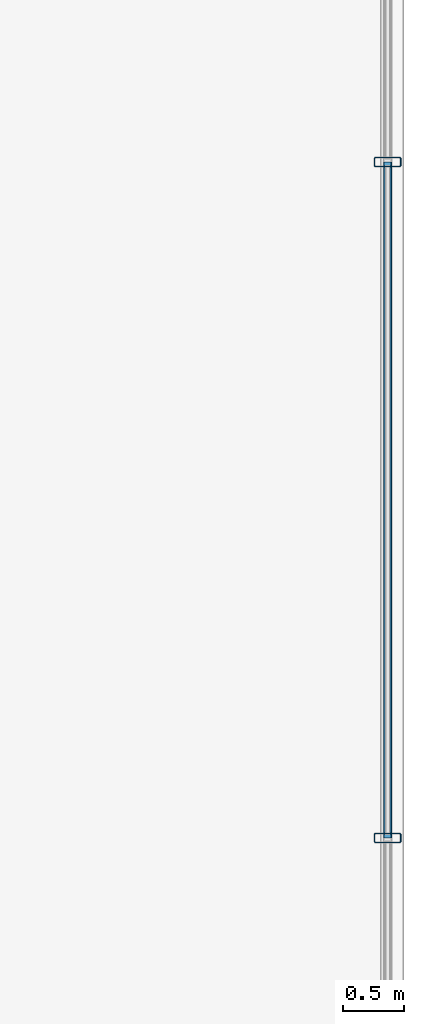
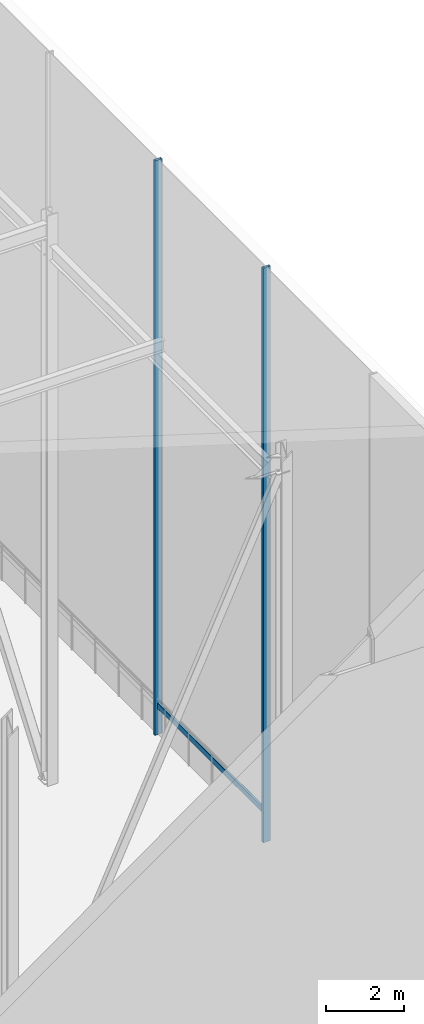
# One storey, part 28 of 39: 3 members, 1 element without a shape of its own.
"""IFC4 building model written with IfcOpenShell, lengths in metres."""

import ifcopenshell
import ifcopenshell.guid

model = None  # the IFC model being written
_history = None  # IfcOwnerHistory: only IFC2X3 demands one
_inside = {}  # id of a spatial element -> (the spatial element, [elements in it])
_under = {}  # id of a project, library or spatial element -> (it, [spatial elements below it])
_declared = {}  # id of a project -> (the project, [libraries it declares])
_typed = {}  # id of a type object -> (the type object, [elements of that type])
_made_of = {}  # id of a material, layer set ... -> (it, [elements and type objects made of it])


def new_model(schema):
    """Start an empty IFC model of exactly this schema.

    Asked for "IFC4X3", IfcOpenShell would pick the latest addendum, in which some entities
    have other attributes; the version numbers below select the first issue.
    IFC2X3 requires an IfcOwnerHistory on every rooted entity: one is made here for all.
    """
    global model, _history
    if schema == "IFC4X3":
        model = ifcopenshell.file(schema_version=(4, 3, 0, 0))
    else:
        model = ifcopenshell.file(schema=schema)
    _inside.clear()
    _under.clear()
    _declared.clear()
    _typed.clear()
    _made_of.clear()
    _history = None
    if model.schema == "IFC2X3":
        org = make("IfcOrganization", Name="unknown")
        user = make(
            "IfcPersonAndOrganization",
            ThePerson=make("IfcPerson", FamilyName="unknown"),
            TheOrganization=org,
        )
        app = make(
            "IfcApplication",
            ApplicationDeveloper=org,
            Version="unknown",
            ApplicationFullName="unknown",
            ApplicationIdentifier="unknown",
        )
        _history = make(
            "IfcOwnerHistory",
            OwningUser=user,
            OwningApplication=app,
            ChangeAction="ADDED",
            CreationDate=0,
        )
    return model


def make(cls, **values):
    """One entity of the class cls with the attributes given. An attribute that is None is left unset."""
    return model.create_entity(
        cls, **{name: value for name, value in values.items() if value is not None}
    )


def rooted(cls, **values):
    """An entity with a GlobalId (a new one), such as an element, a storey or a relation."""
    return make(cls, GlobalId=ifcopenshell.guid.new(), OwnerHistory=_history, **values)


def si_unit(unit_type, name, prefix=None):
    """IfcSIUnit, for example si_unit("LENGTHUNIT", "METRE", prefix="MILLI")."""
    return make("IfcSIUnit", UnitType=unit_type, Prefix=prefix, Name=name)


def assignment(units):
    """IfcUnitAssignment: the units of a project."""
    return None if units is None else make("IfcUnitAssignment", Units=units)


def point(xyz):
    """IfcCartesianPoint."""
    return None if xyz is None else make("IfcCartesianPoint", Coordinates=xyz)


def direction(xyz):
    """IfcDirection."""
    return None if xyz is None else make("IfcDirection", DirectionRatios=xyz)


def frame(location, z_axis=None, x_axis=None):
    """IfcAxis2Placement3D, a coordinate frame: its origin and axes. An axis left out is left unset."""
    return make(
        "IfcAxis2Placement3D",
        Location=point(location),
        Axis=direction(z_axis),
        RefDirection=direction(x_axis),
    )


def frame_2d(location, x_axis=None):
    """IfcAxis2Placement2D, a coordinate frame in the plane: its origin and x axis."""
    return make(
        "IfcAxis2Placement2D", Location=point(location), RefDirection=direction(x_axis)
    )


def origin():
    """The frame at (0, 0, 0) with its axes left unset."""
    return frame((0.0, 0.0, 0.0))


def origin_2d():
    """The frame at (0, 0) in the plane with its x axis left unset."""
    return frame_2d((0.0, 0.0))


def place(relative_to, where):
    """IfcLocalPlacement: puts the frame where relative to a parent placement (None: the world)."""
    return make(
        "IfcLocalPlacement", PlacementRelTo=relative_to, RelativePlacement=where
    )


def context(
    kind, dimensions, precision=None, world=None, true_north=None, identifier=None
):
    """IfcGeometricRepresentationContext, for example the 3D "Model" context."""
    return make(
        "IfcGeometricRepresentationContext",
        ContextIdentifier=identifier,
        ContextType=kind,
        CoordinateSpaceDimension=dimensions,
        Precision=precision,
        WorldCoordinateSystem=world,
        TrueNorth=true_north,
    )


def subcontext(parent, identifier, kind, view, scale=None):
    """IfcGeometricRepresentationSubContext, for example "Body" below "Model"."""
    return make(
        "IfcGeometricRepresentationSubContext",
        ContextIdentifier=identifier,
        ContextType=kind,
        ParentContext=parent,
        TargetScale=scale,
        TargetView=view,
    )


def project(units=None, contexts=None):
    """IfcProject with its units and contexts."""
    return rooted(
        "IfcProject",
        Name="project",
        RepresentationContexts=contexts,
        UnitsInContext=assignment(units),
    )


def spatial(cls, under=None, at=None, **own):
    """A site, building, storey or space (cls), placed at a placement, below another one or the project."""
    s = rooted(cls, ObjectPlacement=at, **own)
    if under is not None:
        _under.setdefault(under.id(), (under, []))[1].append(s)
    return s


def profile(cls, at=None, kind="AREA", **sizes):
    """A parametric profile (cls). Its sizes go by their IFC names, for example OverallWidth=200.0."""
    return make(cls, ProfileType=kind, Position=at, **sizes)


def hollow_rectangle(**sizes):
    """IfcRectangleHollowProfileDef."""
    return profile("IfcRectangleHollowProfileDef", **sizes)


def extrude(swept, where, along, depth):
    """IfcExtrudedAreaSolid: the profile swept, set in the frame where, extruded along a direction by depth."""
    return make(
        "IfcExtrudedAreaSolid",
        SweptArea=swept,
        Position=where,
        ExtrudedDirection=direction(along),
        Depth=depth,
    )


def shape(context_of_items, identifier, shape_type, items):
    """IfcShapeRepresentation: the items that make up one representation, for example the "Body"."""
    return make(
        "IfcShapeRepresentation",
        ContextOfItems=context_of_items,
        RepresentationIdentifier=identifier,
        RepresentationType=shape_type,
        Items=items,
    )


def material(Name=None, Category=None):
    """IfcMaterial."""
    return make("IfcMaterial", Name=Name, Category=Category)


def layer(
    of_material, thickness, ventilated=None, Name=None, Category=None, Priority=None
):
    """IfcMaterialLayer: one layer of a wall or slab, of a material (None: an air gap)."""
    return make(
        "IfcMaterialLayer",
        Material=of_material,
        LayerThickness=thickness,
        IsVentilated=ventilated,
        Name=Name,
        Category=Category,
        Priority=Priority,
    )


def layer_set(layers, Name=None):
    """IfcMaterialLayerSet."""
    return make("IfcMaterialLayerSet", MaterialLayers=layers, LayerSetName=Name)


def material_profile(
    of_material, cross_section, Name=None, Category=None, Priority=None
):
    """IfcMaterialProfile: a cross section and its material."""
    return make(
        "IfcMaterialProfile",
        Name=Name,
        Material=of_material,
        Profile=cross_section,
        Priority=Priority,
        Category=Category,
    )


def profile_set(profiles, Name=None, composite=None):
    """IfcMaterialProfileSet."""
    return make(
        "IfcMaterialProfileSet",
        Name=Name,
        MaterialProfiles=profiles,
        CompositeProfile=composite,
    )


def made_of(thing, what):
    """Note that an element or type object is made of a material, layer set ...; save() writes the relation."""
    if what is not None:
        _made_of.setdefault(what.id(), (what, []))[1].append(thing)
    return thing


def type_object(cls, material=None, **own):
    """A type object (cls), such as IfcWallType, which elements share."""
    return made_of(rooted(cls, **own), material)


def element(
    cls,
    number,
    at=None,
    inside=None,
    cuts=None,
    type_object=None,
    material=None,
    context=None,
    identifier="Body",
    shape_type=None,
    held_by="IfcProductDefinitionShape",
    body=None,
    shapes=None,
    **own,
):
    """One element of the class cls, such as IfcWall. Its Tag is "e" and its number.

    at: its placement. inside: the storey or other place that contains it. cuts: it is an
    opening in that element (IfcRelVoidsElement). A single representation is given by context,
    identifier, shape_type and body (its items); several are given by shapes. held_by: the class
    of the entity that holds the representations. save() writes the other relations.
    """
    e = rooted(cls, Tag="e%d" % number, ObjectPlacement=at, **own)
    if body is not None:
        shapes = [shape(context, identifier, shape_type, body)]
    if shapes is not None:
        e.Representation = make(held_by, Representations=shapes)
    if inside is not None:
        _inside.setdefault(inside.id(), (inside, []))[1].append(e)
    if cuts is not None:
        rooted(
            "IfcRelVoidsElement", RelatingBuildingElement=cuts, RelatedOpeningElement=e
        )
    if type_object is not None:
        _typed.setdefault(type_object.id(), (type_object, []))[1].append(e)
    return made_of(e, material)


def aggregate(whole, parts):
    """IfcRelAggregates: a whole, such as a stair, and the parts it consists of."""
    return rooted("IfcRelAggregates", RelatingObject=whole, RelatedObjects=parts)


def save(model, path):
    """Write the relations noted so far, then the file.

    IfcRelAggregates (storeys below a building ...), IfcRelContainedInSpatialStructure (elements
    in a storey), IfcRelDefinesByType, IfcRelAssociatesMaterial and IfcRelDeclares: one each for
    every whole, place, type object, material and project.
    """
    for whole, parts in _under.values():
        aggregate(whole, parts)
    for where, things in _inside.values():
        rooted(
            "IfcRelContainedInSpatialStructure",
            RelatedElements=things,
            RelatingStructure=where,
        )
    for kind, things in _typed.values():
        rooted("IfcRelDefinesByType", RelatedObjects=things, RelatingType=kind)
    for what, things in _made_of.values():
        rooted("IfcRelAssociatesMaterial", RelatedObjects=things, RelatingMaterial=what)
    for by, libraries in _declared.values():
        rooted("IfcRelDeclares", RelatingContext=by, RelatedDefinitions=libraries)
    model.write(path)


model = new_model("IFC4")

# Units and contexts
model_context = context("Model", 3, precision=1e-05, world=origin(), true_north=direction((0.0, 1.0)))
body_context = subcontext(model_context, "Body", "Model", "MODEL_VIEW")
ifc_project = project(units=[si_unit("LENGTHUNIT", "METRE"), si_unit("AREAUNIT", "SQUARE_METRE"), si_unit("VOLUMEUNIT", "CUBIC_METRE"), si_unit("PLANEANGLEUNIT", "RADIAN"), si_unit("MASSUNIT", "GRAM", prefix="KILO")], contexts=[model_context])

# Site, building, storey
site_placement = place(None, origin())
site = spatial("IfcSite", under=ifc_project, at=site_placement, CompositionType="ELEMENT")
building_placement = place(site_placement, origin())
building = spatial("IfcBuilding", under=site, at=building_placement, Name="Korimba Cascade Residences", CompositionType="ELEMENT")
storey_placement = place(building_placement, frame((0.0, 0.0, 264.199951171875)))
storey = spatial("IfcBuildingStorey", under=building, at=storey_placement, Name="RF", CompositionType="ELEMENT", Elevation=264.199951171875)

# Curtain wall, members
ifc_material_1 = material(Name="Anodised Aluminium Curtain Wall Framing", Category="aluminium")
ifc_layer = layer(ifc_material_1, 0.179931640625)
ifc_layer_set = layer_set([ifc_layer], Name="Anodised Aluminium Curtain Wall Framing")
curtain_wall_type = type_object("IfcCurtainWallType", Name="CW-CRNW-SYS5", PredefinedType="NOTDEFINED", material=ifc_layer_set)
curtain_wall_placement = place(storey_placement, origin())
curtain_wall = element("IfcCurtainWall", 1, at=curtain_wall_placement, inside=storey, type_object=curtain_wall_type, Name="RF Curtain Wall CW-RF-CRN-E-1", PredefinedType="NOTDEFINED")
ifc_material_2 = material(Name="Anodised Aluminium Mullion", Category="aluminium")
ifc_material_profile_1 = material_profile(ifc_material_2, hollow_rectangle(XDim=0.080078125, YDim=0.219970703125, WallThickness=0.00634765625, InnerFilletRadius=0.00634765625, OuterFilletRadius=0.0126953125, at=origin_2d()), Name="Anodised Aluminium Mullion")
ifc_profile_set_1 = profile_set([ifc_material_profile_1], Name="Anodised Aluminium Mullion")
member_type_1 = type_object("IfcMemberType", Name="CWM-MUL-220", PredefinedType="MULLION", material=ifc_profile_set_1)
member_1_placement = place(storey_placement, frame((131.875, 62.13330078125, 0.0), z_axis=(0.0, 0.0, 1.0), x_axis=(0.0, 1.0, 0.0)))
member_1 = element("IfcMember", 2, at=member_1_placement, type_object=member_type_1, Name="CW-RF-CRN-E-1 Mullion 2", PredefinedType="MULLION", context=body_context, shape_type="SweptSolid", body=[
    extrude(hollow_rectangle(XDim=0.080078125, YDim=0.219970703125, WallThickness=0.00634765625, InnerFilletRadius=0.00634765625, OuterFilletRadius=0.0126953125, at=origin_2d()), origin(), (0.0, 0.0, 1.0), 17.945556640625),
])
member_2_placement = place(storey_placement, frame((131.875, 67.666748046875, 0.0), z_axis=(0.0, 0.0, 1.0), x_axis=(0.0, 1.0, 0.0)))
member_2 = element("IfcMember", 3, at=member_2_placement, type_object=member_type_1, Name="CW-RF-CRN-E-1 Mullion 3", PredefinedType="MULLION", context=body_context, shape_type="SweptSolid", body=[
    extrude(hollow_rectangle(XDim=0.080078125, YDim=0.219970703125, WallThickness=0.00634765625, InnerFilletRadius=0.00634765625, OuterFilletRadius=0.0126953125, at=origin_2d()), origin(), (0.0, 0.0, 1.0), 17.945556640625),
])
ifc_material_3 = material(Name="Anodised Aluminium Transom", Category="aluminium")
ifc_material_profile_2 = material_profile(ifc_material_3, hollow_rectangle(XDim=0.070068359375, YDim=0.179931640625, WallThickness=0.0048828125, InnerFilletRadius=0.0048828125, OuterFilletRadius=0.010009765625, at=origin_2d()), Name="Anodised Aluminium Transom")
ifc_profile_set_2 = profile_set([ifc_material_profile_2], Name="Anodised Aluminium Transom")
member_type_2 = type_object("IfcMemberType", Name="CWM-TRN-150", PredefinedType="USERDEFINED", material=ifc_profile_set_2)
member_3_placement = place(storey_placement, frame((131.875, 62.13330078125, 0.900146484375), z_axis=(0.0, 1.0, 0.0), x_axis=(-1.0, 0.0, 0.0)))
member_3 = element("IfcMember", 4, at=member_3_placement, type_object=member_type_2, Name="CW-RF-CRN-E-1 Transom 2", ObjectType="TRANSOM", PredefinedType="USERDEFINED", context=body_context, shape_type="SweptSolid", body=[
    extrude(hollow_rectangle(XDim=0.070068359375, YDim=0.179931640625, WallThickness=0.0048828125, InnerFilletRadius=0.0048828125, OuterFilletRadius=0.010009765625, at=origin_2d()), origin(), (0.0, 0.0, 1.0), 5.533447265625),
])
aggregate(curtain_wall, [member_1, member_2, member_3])

save(model, "model.ifc")
